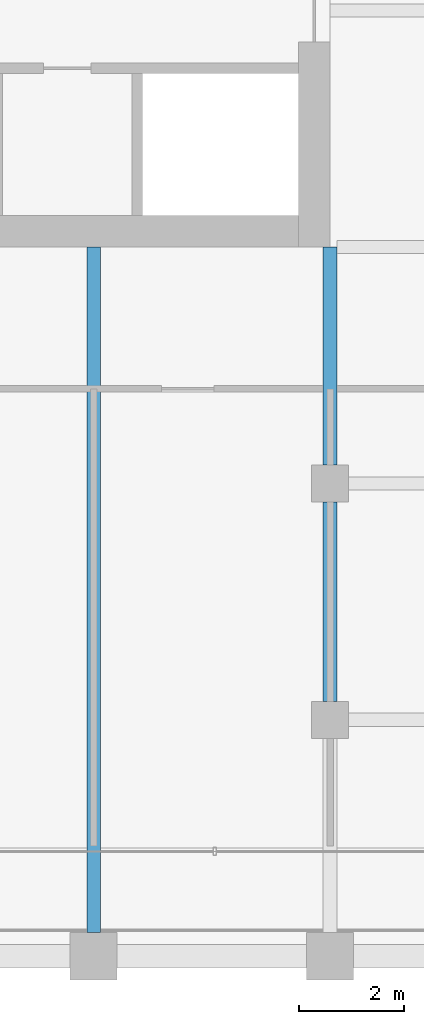
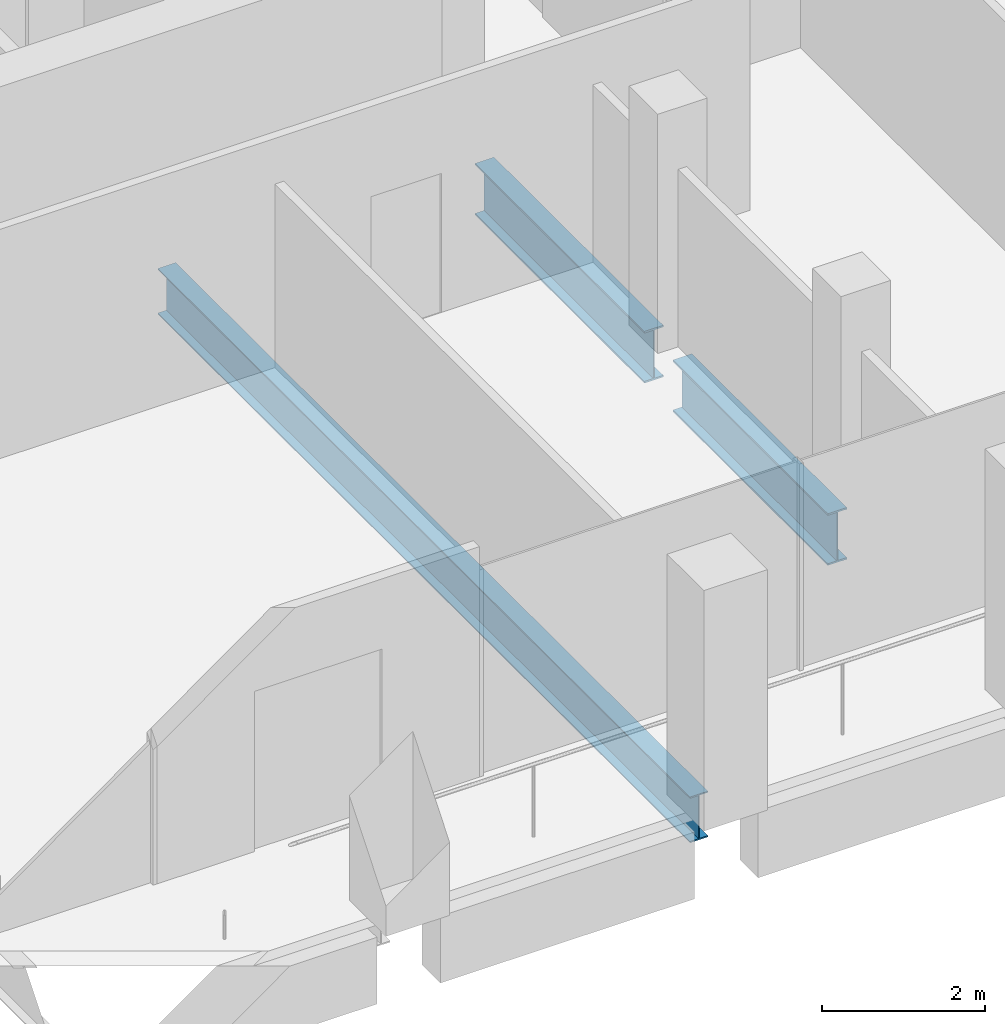
# One storey, part 10 of 40: 3 beams.
"""IFC4 building model written with IfcOpenShell, lengths in metres."""

from ifc_helpers import new_model, si_unit, direction, frame, origin, origin_2d, place, context, subcontext, project, spatial, i_section, extrude, material, material_profile, profile_set, type_object, element, save


model = new_model("IFC4")

# Units and contexts
model_context = context("Model", 3, precision=1e-05, world=origin(), true_north=direction((0.0, 1.0)))
body_context = subcontext(model_context, "Body", "Model", "MODEL_VIEW")
ifc_project = project(units=[si_unit("LENGTHUNIT", "METRE"), si_unit("AREAUNIT", "SQUARE_METRE"), si_unit("VOLUMEUNIT", "CUBIC_METRE"), si_unit("PLANEANGLEUNIT", "RADIAN"), si_unit("MASSUNIT", "GRAM", prefix="KILO")], contexts=[model_context])

# Site, building, storey
site_placement = place(None, origin())
site = spatial("IfcSite", under=ifc_project, at=site_placement, CompositionType="ELEMENT")
building_placement = place(site_placement, origin())
building = spatial("IfcBuilding", under=site, at=building_placement, Name="Altepetl Exchange Towers", CompositionType="ELEMENT")
storey_placement = place(building_placement, frame((0.0, 0.0, 165.39990234375)))
storey = spatial("IfcBuildingStorey", under=building, at=storey_placement, Name="L41", CompositionType="ELEMENT", Elevation=165.39990234375)

# Beams
ifc_material = material(Name="Steel S355", Category="steel")
ifc_material_profile_1 = material_profile(ifc_material, i_section(OverallWidth=0.25390625, OverallDepth=0.68408203125, WebThickness=0.012451171875, FlangeThickness=0.018798828125, at=origin_2d()), Name="W27X94")
ifc_profile_set_1 = profile_set([ifc_material_profile_1], Name="Steel S355")
beam_type_1 = type_object("IfcBeamType", Name="Floor beam W27X94", PredefinedType="BEAM", material=ifc_profile_set_1)
beam_1_placement = place(storey_placement, frame((54.0, 27.449951171875, -0.491943359375), z_axis=(0.0, 1.0, 0.0), x_axis=(-1.0, 0.0, 0.0)))
element("IfcBeam", 1, at=beam_1_placement, inside=storey, type_object=beam_type_1, Name="bm:A:L41:017", PredefinedType="BEAM", context=body_context, shape_type="SweptSolid", body=[
    extrude(i_section(OverallWidth=0.25390625, OverallDepth=0.68408203125, WebThickness=0.012451171875, FlangeThickness=0.018798828125, at=origin_2d()), origin(), (0.0, 0.0, 1.0), 13.050048828125),
])
ifc_material_profile_2 = material_profile(ifc_material, i_section(OverallWidth=0.26806640625, OverallDepth=0.77392578125, WebThickness=0.015380859375, FlangeThickness=0.025390625, at=origin_2d()), Name="W30X132")
ifc_profile_set_2 = profile_set([ifc_material_profile_2], Name="Steel S355")
beam_type_2 = type_object("IfcBeamType", Name="Girder W30X132", PredefinedType="BEAM", material=ifc_profile_set_2)
beam_2_placement = place(storey_placement, frame((58.5, 40.5, -0.536865234375), z_axis=(0.0, -1.0, 0.0), x_axis=(1.0, 0.0, 0.0)))
element("IfcBeam", 2, at=beam_2_placement, inside=storey, type_object=beam_type_2, Name="gd:A:L41:003", PredefinedType="BEAM", context=body_context, shape_type="SweptSolid", body=[
    extrude(i_section(OverallWidth=0.26806640625, OverallDepth=0.77392578125, WebThickness=0.015380859375, FlangeThickness=0.025390625, at=origin_2d()), origin(), (0.0, 0.0, 1.0), 4.14990234375),
])
beam_3_placement = place(storey_placement, frame((58.5, 35.64990234375, -0.536865234375), z_axis=(0.0, -1.0, 0.0), x_axis=(1.0, 0.0, 0.0)))
element("IfcBeam", 3, at=beam_3_placement, inside=storey, type_object=beam_type_2, Name="gd:A:L41:004", PredefinedType="BEAM", context=body_context, shape_type="SweptSolid", body=[
    extrude(i_section(OverallWidth=0.26806640625, OverallDepth=0.77392578125, WebThickness=0.015380859375, FlangeThickness=0.025390625, at=origin_2d()), origin(), (0.0, 0.0, 1.0), 3.7998046875),
])

save(model, "model.ifc")
